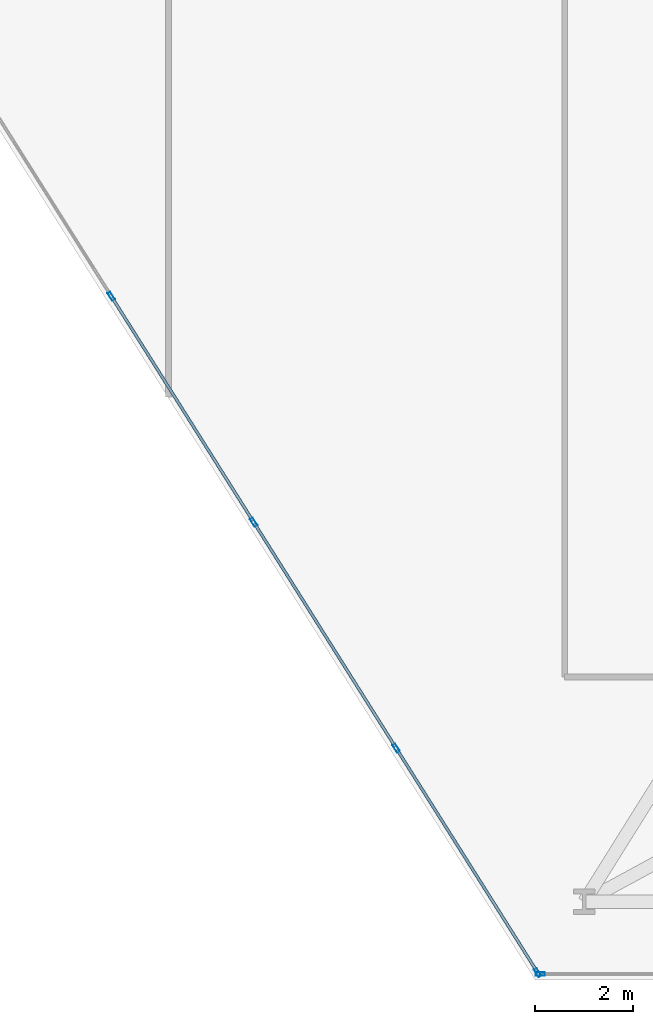
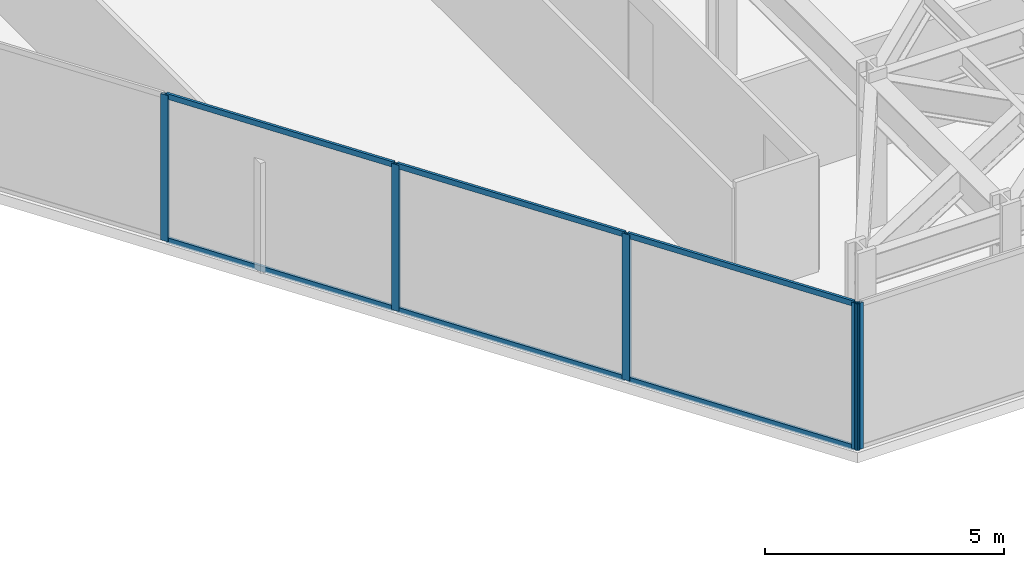
# One storey, part 12 of 24: 11 members, 2 elements without a shape of their own.
"""IFC4 building model written with IfcOpenShell, lengths in metres."""

from ifc_helpers import new_model, si_unit, direction, frame, origin, origin_2d, place, context, subcontext, project, spatial, hollow_rectangle, extrude, material, layer, layer_set, material_profile, profile_set, type_object, element, aggregate, save


model = new_model("IFC4")

# Units and contexts
model_context = context("Model", 3, precision=1e-05, world=origin(), true_north=direction((0.0, 1.0)))
body_context = subcontext(model_context, "Body", "Model", "MODEL_VIEW")
ifc_project = project(units=[si_unit("LENGTHUNIT", "METRE"), si_unit("AREAUNIT", "SQUARE_METRE"), si_unit("VOLUMEUNIT", "CUBIC_METRE"), si_unit("PLANEANGLEUNIT", "RADIAN"), si_unit("MASSUNIT", "GRAM", prefix="KILO")], contexts=[model_context])

# Site, building, storey
site_placement = place(None, origin())
site = spatial("IfcSite", under=ifc_project, at=site_placement, CompositionType="ELEMENT")
building_placement = place(site_placement, origin())
building = spatial("IfcBuilding", under=site, at=building_placement, Name="Kravanh Interchange Tower", CompositionType="ELEMENT")
storey_placement = place(building_placement, frame((0.0, 0.0, 37.5)))
storey = spatial("IfcBuildingStorey", under=building, at=storey_placement, Name="L08", CompositionType="ELEMENT", Elevation=37.5)

# Curtain wall, member
ifc_material_1 = material(Name="Anodised Bronze Aluminium", Category="aluminium")
ifc_layer = layer(ifc_material_1, 0.179931640625)
ifc_layer_set = layer_set([ifc_layer], Name="Unitised Curtain Wall System CW-Z1 Lower Office")
curtain_wall_type = type_object("IfcCurtainWallType", Name="Unitised Curtain Wall System CW-Z1 Lower Office", PredefinedType="NOTDEFINED", material=ifc_layer_set)
curtain_wall_1_placement = place(storey_placement, origin())
curtain_wall_1 = element("IfcCurtainWall", 1, at=curtain_wall_1_placement, inside=storey, type_object=curtain_wall_type, Name="L08 Unitised Curtain Wall CW-L08-03", PredefinedType="NOTDEFINED")
ifc_material_2 = material(Name="Anodised Bronze Aluminium", Category="aluminium")
ifc_material_profile_1 = material_profile(ifc_material_2, hollow_rectangle(XDim=0.070068359375, YDim=0.179931640625, WallThickness=0.00390625, at=origin_2d()), Name="ALU70X180X4")
ifc_profile_set_1 = profile_set([ifc_material_profile_1], Name="Anodised Bronze Aluminium")
member_type_1 = type_object("IfcMemberType", Name="Curtain Wall Mullion ALU70X180X4 Bronze", PredefinedType="MULLION", material=ifc_profile_set_1)
member_1_placement = place(storey_placement, frame((51.601318359375, 1.1201171875, 0.0), z_axis=(0.0, 0.0, 1.0), x_axis=(0.0, -1.0, 0.0)))
member_1 = element("IfcMember", 2, at=member_1_placement, type_object=member_type_1, Name="CW-Z1 mullion 3", PredefinedType="MULLION", context=body_context, shape_type="SweptSolid", body=[
    extrude(hollow_rectangle(XDim=0.070068359375, YDim=0.179931640625, WallThickness=0.00390625, at=origin_2d()), origin(), (0.0, 0.0, 1.0), 3.739990234375),
])
aggregate(curtain_wall_1, [member_1])

# Curtain wall, members
curtain_wall_2_placement = place(storey_placement, origin())
curtain_wall_2 = element("IfcCurtainWall", 3, at=curtain_wall_2_placement, inside=storey, type_object=curtain_wall_type, Name="L08 Unitised Curtain Wall CW-L08-04", PredefinedType="NOTDEFINED")
member_2_placement = place(storey_placement, frame((51.547607421875, 1.149658203125, 0.0), z_axis=(0.0, 0.0, 1.0), x_axis=(-0.845925530786, -0.53330103728, 0.0)))
member_2 = element("IfcMember", 4, at=member_2_placement, type_object=member_type_1, Name="CW-Z1 mullion 1", PredefinedType="MULLION", context=body_context, shape_type="SweptSolid", body=[
    extrude(hollow_rectangle(XDim=0.070068359375, YDim=0.179931640625, WallThickness=0.00390625, at=origin_2d()), origin(), (0.0, 0.0, 1.0), 3.739990234375),
])
member_3_placement = place(storey_placement, frame((48.653076171875, 5.740966796875, 0.0), z_axis=(0.0, 0.0, 1.0), x_axis=(-0.845925530786, -0.53330103728, 0.0)))
member_3 = element("IfcMember", 5, at=member_3_placement, type_object=member_type_1, Name="CW-Z1 mullion 2", PredefinedType="MULLION", context=body_context, shape_type="SweptSolid", body=[
    extrude(hollow_rectangle(XDim=0.070068359375, YDim=0.179931640625, WallThickness=0.00390625, at=origin_2d()), origin(), (0.0, 0.0, 1.0), 3.739990234375),
])
member_4_placement = place(storey_placement, frame((45.73974609375, 10.362060546875, 0.0), z_axis=(0.0, 0.0, 1.0), x_axis=(-0.845925530786, -0.53330103728, 0.0)))
member_4 = element("IfcMember", 6, at=member_4_placement, type_object=member_type_1, Name="CW-Z1 mullion 3", PredefinedType="MULLION", context=body_context, shape_type="SweptSolid", body=[
    extrude(hollow_rectangle(XDim=0.070068359375, YDim=0.179931640625, WallThickness=0.00390625, at=origin_2d()), origin(), (0.0, 0.0, 1.0), 3.739990234375),
])
member_5_placement = place(storey_placement, frame((42.826416015625, 14.98291015625, 0.0), z_axis=(0.0, 0.0, 1.0), x_axis=(-0.845925530786, -0.53330103728, 0.0)))
member_5 = element("IfcMember", 7, at=member_5_placement, type_object=member_type_1, Name="CW-Z1 mullion 4", PredefinedType="MULLION", context=body_context, shape_type="SweptSolid", body=[
    extrude(hollow_rectangle(XDim=0.070068359375, YDim=0.179931640625, WallThickness=0.00390625, at=origin_2d()), origin(), (0.0, 0.0, 1.0), 3.739990234375),
])
ifc_material_3 = material(Name="Anodised Bronze Aluminium", Category="aluminium")
ifc_material_profile_2 = material_profile(ifc_material_3, hollow_rectangle(XDim=0.06005859375, YDim=0.139892578125, WallThickness=0.00390625, at=origin_2d()), Name="ALU60X140X4")
ifc_profile_set_2 = profile_set([ifc_material_profile_2], Name="Anodised Bronze Aluminium")
member_type_2 = type_object("IfcMemberType", Name="Curtain Wall Transom ALU60X140X4 Bronze", PredefinedType="USERDEFINED", material=ifc_profile_set_2)
member_6_placement = place(storey_placement, frame((51.52880859375, 1.17919921875, 0.030029296875), z_axis=(-0.533288163518, 0.845933646719, 0.0), x_axis=(-0.845933646719, -0.533288163518, 0.0)))
member_6 = element("IfcMember", 8, at=member_6_placement, type_object=member_type_2, Name="CW-Z1 transom 1.1", ObjectType="TRANSOM", PredefinedType="USERDEFINED", context=body_context, shape_type="SweptSolid", body=[
    extrude(hollow_rectangle(XDim=0.06005859375, YDim=0.139892578125, WallThickness=0.00390625, at=origin_2d()), origin(), (0.0, 0.0, 1.0), 5.357666015625),
])
member_7_placement = place(storey_placement, frame((51.52880859375, 1.17919921875, 3.7099609375), z_axis=(-0.533288163518, 0.845933646719, 0.0), x_axis=(-0.845933646719, -0.533288163518, 0.0)))
member_7 = element("IfcMember", 9, at=member_7_placement, type_object=member_type_2, Name="CW-Z1 transom 1.2", ObjectType="TRANSOM", PredefinedType="USERDEFINED", context=body_context, shape_type="SweptSolid", body=[
    extrude(hollow_rectangle(XDim=0.06005859375, YDim=0.139892578125, WallThickness=0.00390625, at=origin_2d()), origin(), (0.0, 0.0, 1.0), 5.357666015625),
])
member_8_placement = place(storey_placement, frame((48.63427734375, 5.7705078125, 0.030029296875), z_axis=(-0.533311487456, 0.84591894254, 0.0), x_axis=(-0.84591894254, -0.533311487456, 0.0)))
member_8 = element("IfcMember", 10, at=member_8_placement, type_object=member_type_2, Name="CW-Z1 transom 2.1", ObjectType="TRANSOM", PredefinedType="USERDEFINED", context=body_context, shape_type="SweptSolid", body=[
    extrude(hollow_rectangle(XDim=0.06005859375, YDim=0.139892578125, WallThickness=0.00390625, at=origin_2d()), origin(), (0.0, 0.0, 1.0), 5.392578125),
])
member_9_placement = place(storey_placement, frame((48.63427734375, 5.7705078125, 3.7099609375), z_axis=(-0.533311487456, 0.84591894254, 0.0), x_axis=(-0.84591894254, -0.533311487456, 0.0)))
member_9 = element("IfcMember", 11, at=member_9_placement, type_object=member_type_2, Name="CW-Z1 transom 2.2", ObjectType="TRANSOM", PredefinedType="USERDEFINED", context=body_context, shape_type="SweptSolid", body=[
    extrude(hollow_rectangle(XDim=0.06005859375, YDim=0.139892578125, WallThickness=0.00390625, at=origin_2d()), origin(), (0.0, 0.0, 1.0), 5.392578125),
])
member_10_placement = place(storey_placement, frame((45.720947265625, 10.3916015625, 0.030029296875), z_axis=(-0.533279090152, 0.845939366626, 0.0), x_axis=(-0.845939366626, -0.533279090152, 0.0)))
member_10 = element("IfcMember", 12, at=member_10_placement, type_object=member_type_2, Name="CW-Z1 transom 3.1", ObjectType="TRANSOM", PredefinedType="USERDEFINED", context=body_context, shape_type="SweptSolid", body=[
    extrude(hollow_rectangle(XDim=0.06005859375, YDim=0.139892578125, WallThickness=0.00390625, at=origin_2d()), origin(), (0.0, 0.0, 1.0), 5.392578125),
])
member_11_placement = place(storey_placement, frame((45.720947265625, 10.3916015625, 3.7099609375), z_axis=(-0.533279090152, 0.845939366626, 0.0), x_axis=(-0.845939366626, -0.533279090152, 0.0)))
member_11 = element("IfcMember", 13, at=member_11_placement, type_object=member_type_2, Name="CW-Z1 transom 3.2", ObjectType="TRANSOM", PredefinedType="USERDEFINED", context=body_context, shape_type="SweptSolid", body=[
    extrude(hollow_rectangle(XDim=0.06005859375, YDim=0.139892578125, WallThickness=0.00390625, at=origin_2d()), origin(), (0.0, 0.0, 1.0), 5.392578125),
])
aggregate(curtain_wall_2, [member_2, member_3, member_4, member_5, member_6, member_7, member_8, member_9, member_10, member_11])

save(model, "model.ifc")
